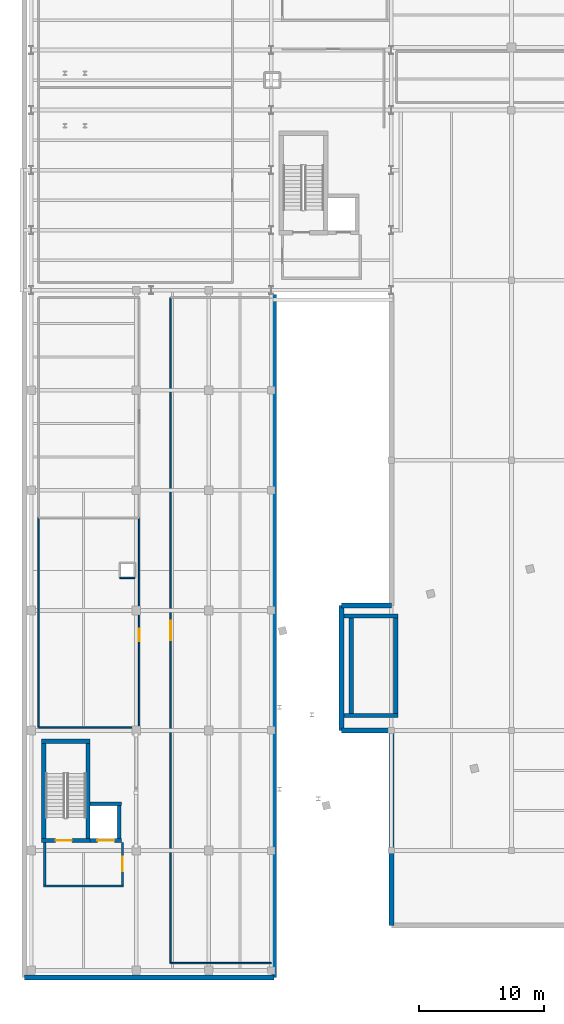
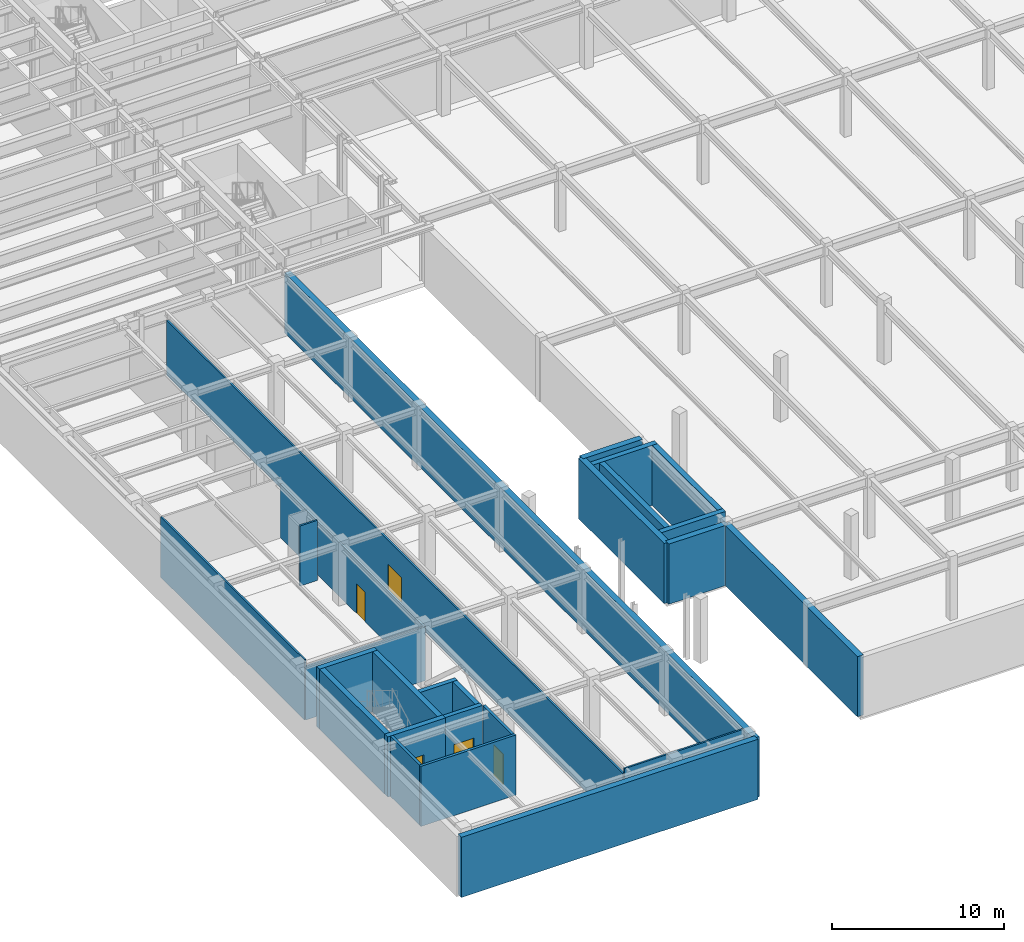
# One storey, part 18 of 32: 26 walls, 5 doors, 5 openings.
"""IFC4 building model written with IfcOpenShell, lengths in metres."""

from ifc_helpers import new_model, si_unit, direction, frame, frame_2d, origin, place, context, subcontext, project, spatial, rectangle, extrude, material, layer, layer_set, type_object, element, fill, save


model = new_model("IFC4")

# Units and contexts
model_context = context("Model", 3, precision=1e-05, world=origin(), true_north=direction((0.0, 1.0)))
body_context = subcontext(model_context, "Body", "Model", "MODEL_VIEW")
ifc_project = project(units=[si_unit("LENGTHUNIT", "METRE"), si_unit("AREAUNIT", "SQUARE_METRE"), si_unit("VOLUMEUNIT", "CUBIC_METRE"), si_unit("PLANEANGLEUNIT", "RADIAN"), si_unit("MASSUNIT", "GRAM", prefix="KILO")], contexts=[model_context])

# Site, building, storey
site_placement = place(None, origin())
site = spatial("IfcSite", under=ifc_project, at=site_placement, CompositionType="ELEMENT")
building_placement = place(site_placement, origin())
building = spatial("IfcBuilding", under=site, at=building_placement, Name="Nordkorset Police Headquarters", CompositionType="ELEMENT")
storey_placement = place(building_placement, frame((0.0, 0.0, -4.550048828125)))
storey = spatial("IfcBuildingStorey", under=building, at=storey_placement, Name="B01", CompositionType="ELEMENT", Elevation=-4.550048828125)

# Walls
ifc_material_1 = material(Name="Gypsum board", Category="gypsum")
ifc_layer_1 = layer(ifc_material_1, 0.179931640625, Name="Gypsum board")
ifc_layer_set_1 = layer_set([ifc_layer_1], Name="Gypsum board")
wall_type_1 = type_object("IfcWallType", Name="Wall_Comp_180", PredefinedType="PARTITIONING", material=ifc_layer_set_1)
wall_1_placement = place(storey_placement, frame((1.0, 35.56005859375, 0.0), z_axis=(0.0, 0.0, 1.0), x_axis=(1.0, 0.0, 0.0)))
element("IfcWall", 1, at=wall_1_placement, inside=storey, type_object=wall_type_1, Name="Firefighting Lobby EI 60 Wall K4 B01 S", PredefinedType="PARTITIONING", context=body_context, shape_type="SweptSolid", body=[
    extrude(rectangle(XDim=6.39990234375, YDim=0.179931640625, at=frame_2d((3.199951171875, 0.0))), origin(), (0.0, 0.0, 1.0), 4.280029296875),
])
wall_2_placement = place(storey_placement, frame((1.090087890625, 35.64990234375, 0.0), z_axis=(0.0, 0.0, 1.0), x_axis=(0.0, 1.0, 0.0)))
element("IfcWall", 2, at=wall_2_placement, inside=storey, type_object=wall_type_1, Name="Firefighting Lobby EI 60 Wall K4 B01 W", PredefinedType="PARTITIONING", context=body_context, shape_type="SweptSolid", body=[
    extrude(rectangle(XDim=3.375, YDim=0.179931640625, at=frame_2d((1.6875, 0.0))), origin(), (0.0, 0.0, 1.0), 4.280029296875),
])

# Wall, opening, door
wall_3_placement = place(storey_placement, frame((7.31005859375, 35.64990234375, 0.0), z_axis=(0.0, 0.0, 1.0), x_axis=(0.0, 1.0, 0.0)))
wall_3 = element("IfcWall", 3, at=wall_3_placement, inside=storey, type_object=wall_type_1, Name="Firefighting Lobby EI 60 Wall K4 B01 E", PredefinedType="PARTITIONING", context=body_context, shape_type="SweptSolid", body=[
    extrude(rectangle(XDim=3.375, YDim=0.179931640625, at=frame_2d((1.6875, 0.0))), origin(), (0.0, 0.0, 1.0), 4.280029296875),
])
opening_1_placement = place(wall_3_placement, frame((1.112548828125, 0.0, 0.0)))
opening_1 = element("IfcOpeningElement", 4, at=opening_1_placement, cuts=wall_3, Name="Opening DR-01", PredefinedType="OPENING", context=body_context, shape_type="SweptSolid", body=[
    extrude(rectangle(XDim=1.14990234375, YDim=2.14990234375, at=frame_2d((0.574951171875, 1.074951171875))), frame((0.0, 0.10009765625, 0.0), z_axis=(0.0, -1.0, 0.0), x_axis=(1.0, 0.0, 0.0)), (0.0, 0.0, 1.0), 0.199951171875),
])
ifc_material_2 = material(Name="Steel S355J2", Category="steel")
door_type_1 = type_object("IfcDoorType", Name="Door_LobbySingle_1150x2150", OperationType="NOTDEFINED", PredefinedType="DOOR", material=ifc_material_2)
door_1_placement = place(opening_1_placement, origin())
door_1 = element("IfcDoor", 5, at=door_1_placement, inside=storey, type_object=door_type_1, Name="Firefighting Lobby Smoke Door K4 B01 E", OperationType="SINGLE_SWING_LEFT", OverallHeight=2.14990234375, OverallWidth=1.14990234375, PredefinedType="DOOR", context=body_context, shape_type="SweptSolid", body=[
    extrude(rectangle(XDim=1.14990234375, YDim=2.14990234375, at=frame_2d((0.574951171875, 1.074951171875))), frame((0.0, 0.02490234375, 0.0), z_axis=(0.0, -1.0, 0.0), x_axis=(1.0, 0.0, 0.0)), (0.0, 0.0, 1.0), 0.050048828125),
])
fill(opening_1, door_1)

ifc_material_3 = material(Name="Concrete C35/45", Category="concrete")
ifc_layer_2 = layer(ifc_material_3, 0.35009765625, Name="Concrete C35/45")
ifc_layer_set_2 = layer_set([ifc_layer_2], Name="Concrete C35/45")
wall_type_2 = type_object("IfcWallType", Name="Wall_CoreShear_350", PredefinedType="SHEAR", material=ifc_layer_set_2)
wall_4_placement = place(storey_placement, frame((0.824951171875, 39.199951171875, 0.0), z_axis=(0.0, 0.0, 1.0), x_axis=(1.0, 0.0, 0.0)))
wall_4 = element("IfcWall", 6, at=wall_4_placement, inside=storey, type_object=wall_type_2, Name="Core K4 Stair Shaft South Shear Wall B01", PredefinedType="SHEAR", context=body_context, shape_type="SweptSolid", body=[
    extrude(rectangle(XDim=3.900146484375, YDim=0.35009765625, at=frame_2d((1.9501953125, 0.0))), origin(), (0.0, 0.0, 1.0), 4.280029296875),
])
opening_2_placement = place(wall_4_placement, frame((1.125, 0.0, 0.0)))
opening_2 = element("IfcOpeningElement", 7, at=opening_2_placement, cuts=wall_4, Name="Opening DR-20", PredefinedType="OPENING", context=body_context, shape_type="SweptSolid", body=[
    extrude(rectangle(XDim=1.300048828125, YDim=2.14990234375, at=frame_2d((0.64990234375, 1.074951171875))), frame((0.0, 0.18505859375, 0.0), z_axis=(0.0, -1.0, 0.0), x_axis=(1.0, 0.0, 0.0)), (0.0, 0.0, 1.0), 0.3701171875),
])
ifc_material_4 = material(Name="Steel S355J2", Category="steel")
door_type_2 = type_object("IfcDoorType", Name="Door_Stair_1300x2150", OperationType="NOTDEFINED", PredefinedType="DOOR", material=ifc_material_4)
door_2_placement = place(opening_2_placement, frame((1.300048828125, 0.0, 0.0), z_axis=(0.0, 0.0, 1.0), x_axis=(-1.0, 0.0, 0.0)))
door_2 = element("IfcDoor", 8, at=door_2_placement, inside=storey, type_object=door_type_2, Name="Protected Stair Fire Door ST-04 B01", OperationType="SINGLE_SWING_RIGHT", OverallHeight=2.14990234375, OverallWidth=1.300048828125, PredefinedType="DOOR", context=body_context, shape_type="SweptSolid", body=[
    extrude(rectangle(XDim=1.300048828125, YDim=2.14990234375, at=frame_2d((0.64990234375, 1.074951171875))), frame((0.0, 0.02490234375, 0.0), z_axis=(0.0, -1.0, 0.0), x_axis=(1.0, 0.0, 0.0)), (0.0, 0.0, 1.0), 0.050048828125),
])
fill(opening_2, door_2)

# Walls
wall_5_placement = place(storey_placement, frame((0.824951171875, 47.14990234375, 0.0), z_axis=(0.0, 0.0, 1.0), x_axis=(1.0, 0.0, 0.0)))
element("IfcWall", 9, at=wall_5_placement, inside=storey, type_object=wall_type_2, Name="Core K4 Stair Shaft North Shear Wall B01", PredefinedType="SHEAR", context=body_context, shape_type="SweptSolid", body=[
    extrude(rectangle(XDim=3.900146484375, YDim=0.35009765625, at=frame_2d((1.9501953125, 0.0))), origin(), (0.0, 0.0, 1.0), 4.280029296875),
])
for number, where, z_axis, x_axis, name in (
    (10, (1.0, 39.375, 0.0), (0.0, 0.0, 1.0), (0.0, 1.0, 0.0), "Core K4 Stair Shaft West Shear Wall B01"),
    (11, (4.550048828125, 39.375, 0.0), (0.0, 0.0, 1.0), (0.0, 1.0, 0.0), "Core K4 Stair Shaft East Shear Wall B01"),
):
    element("IfcWall", number, at=place(storey_placement, frame(where, z_axis=z_axis, x_axis=x_axis)), inside=storey, type_object=wall_type_2, Name=name, PredefinedType="SHEAR", context=body_context, shape_type="SweptSolid", body=[
        extrude(rectangle(XDim=7.60009765625, YDim=0.35009765625, at=frame_2d((3.800048828125, 0.0))), origin(), (0.0, 0.0, 1.0), 4.280029296875),
    ])
for number, where, z_axis, x_axis, name in (
    (12, (25.0, 49.199951171875, 0.0), (0.0, 0.0, 1.0), (1.0, 0.0, 0.0), "Core K7 Stair Shaft South Shear Wall B01"),
    (13, (25.0, 57.14990234375, 0.0), (0.0, 0.0, 1.0), (1.0, 0.0, 0.0), "Core K7 Stair Shaft North Shear Wall B01"),
):
    element("IfcWall", number, at=place(storey_placement, frame(where, z_axis=z_axis, x_axis=x_axis)), inside=storey, type_object=wall_type_2, Name=name, PredefinedType="SHEAR", context=body_context, shape_type="SweptSolid", body=[
        extrude(rectangle(XDim=4.324951171875, YDim=0.35009765625, at=frame_2d((2.16259765625, 0.0))), origin(), (0.0, 0.0, 1.0), 4.280029296875),
    ])
for number, where, z_axis, x_axis, name in (
    (14, (25.60009765625, 49.375, 0.0), (0.0, 0.0, 1.0), (0.0, 1.0, 0.0), "Core K7 Stair Shaft West Shear Wall B01"),
    (15, (29.14990234375, 49.375, 0.0), (0.0, 0.0, 1.0), (0.0, 1.0, 0.0), "Core K7 Stair Shaft East Shear Wall B01"),
):
    element("IfcWall", number, at=place(storey_placement, frame(where, z_axis=z_axis, x_axis=x_axis)), inside=storey, type_object=wall_type_2, Name=name, PredefinedType="SHEAR", context=body_context, shape_type="SweptSolid", body=[
        extrude(rectangle(XDim=7.60009765625, YDim=0.35009765625, at=frame_2d((3.800048828125, 0.0))), origin(), (0.0, 0.0, 1.0), 4.280029296875),
    ])
ifc_material_5 = material(Name="Gypsum board", Category="gypsum")
ifc_layer_3 = layer(ifc_material_5, 0.1201171875, Name="Gypsum board")
ifc_layer_set_3 = layer_set([ifc_layer_3], Name="Gypsum board")
wall_type_3 = type_object("IfcWallType", Name="Wall_Part_120", PredefinedType="PARTITIONING", material=ifc_layer_set_3)
wall_6_placement = place(storey_placement, frame((0.60009765625, 48.25, 0.0), z_axis=(0.0, 0.0, 1.0), x_axis=(1.0, 0.0, 0.0)))
element("IfcWall", 16, at=wall_6_placement, inside=storey, type_object=wall_type_3, Name="Interior Partition Wall Forensic Bulk Evidence Reception Lab", PredefinedType="PARTITIONING", context=body_context, shape_type="SweptSolid", body=[
    extrude(rectangle(XDim=8.039794921875, YDim=0.1201171875, at=frame_2d((4.02001953125, 0.0))), origin(), (0.0, 0.0, 1.0), 3.820068359375),
])

# Wall, opening, door
wall_7_placement = place(storey_placement, frame((8.639892578125, 48.25, 0.0), z_axis=(0.0, 0.0, 1.0), x_axis=(0.0, 1.0, 0.0)))
wall_7 = element("IfcWall", 17, at=wall_7_placement, inside=storey, type_object=wall_type_3, Name="Interior Partition Wall Forensic Bulk Evidence Reception Lab", PredefinedType="PARTITIONING", context=body_context, shape_type="SweptSolid", body=[
    extrude(rectangle(XDim=16.75, YDim=0.1201171875, at=frame_2d((8.375, 0.0))), origin(), (0.0, 0.0, 1.0), 3.820068359375),
])
opening_3_placement = place(wall_7_placement, frame((6.885009765625, 0.0, 0.0)))
opening_3 = element("IfcOpeningElement", 18, at=opening_3_placement, cuts=wall_7, Name="Opening DR-18", PredefinedType="OPENING", context=body_context, shape_type="SweptSolid", body=[
    extrude(rectangle(XDim=0.97998046875, YDim=2.10009765625, at=frame_2d((0.489990234375, 1.050048828125))), frame((0.0, 0.070068359375, 0.0), z_axis=(0.0, -1.0, 0.0), x_axis=(1.0, 0.0, 0.0)), (0.0, 0.0, 1.0), 0.14013671875),
])
ifc_material_6 = material(Name="Glulam GL30c", Category="wood")
door_type_3 = type_object("IfcDoorType", Name="Door_Office_980x2100", OperationType="NOTDEFINED", PredefinedType="DOOR", material=ifc_material_6)
door_3_placement = place(opening_3_placement, frame((0.97998046875, 0.0, 0.0), z_axis=(0.0, 0.0, 1.0), x_axis=(-1.0, 0.0, 0.0)))
door_3 = element("IfcDoor", 19, at=door_3_placement, inside=storey, type_object=door_type_3, Name="Interior Door Forensic Bulk Evidence Reception Lab", OperationType="SINGLE_SWING_RIGHT", OverallHeight=2.10009765625, OverallWidth=0.97998046875, PredefinedType="DOOR", context=body_context, shape_type="SweptSolid", body=[
    extrude(rectangle(XDim=0.97998046875, YDim=2.10009765625, at=frame_2d((0.489990234375, 1.050048828125))), frame((0.0, 0.02490234375, 0.0), z_axis=(0.0, -1.0, 0.0), x_axis=(1.0, 0.0, 0.0)), (0.0, 0.0, 1.0), 0.050048828125),
])
fill(opening_3, door_3)

# Walls
wall_8_placement = place(storey_placement, frame((0.60009765625, 65.0, 0.0), z_axis=(0.0, 0.0, 1.0), x_axis=(0.0, -1.0, 0.0)))
element("IfcWall", 20, at=wall_8_placement, inside=storey, type_object=wall_type_3, Name="Interior Partition Wall Forensic Bulk Evidence Reception Lab", PredefinedType="PARTITIONING", context=body_context, shape_type="SweptSolid", body=[
    extrude(rectangle(XDim=16.75, YDim=0.1201171875, at=frame_2d((8.375, 0.0))), origin(), (0.0, 0.0, 1.0), 4.280029296875),
])
wall_9_placement = place(storey_placement, frame((11.159912109375, 29.39990234375, 0.0), z_axis=(0.0, 0.0, 1.0), x_axis=(1.0, 0.0, 0.0)))
element("IfcWall", 21, at=wall_9_placement, inside=storey, type_object=wall_type_3, Name="Interior Partition Wall Quartermaster Uniform and Kit Issue Room", PredefinedType="PARTITIONING", context=body_context, shape_type="SweptSolid", body=[
    extrude(rectangle(XDim=8.045166015625, YDim=0.1201171875, at=frame_2d((4.0224609375, 0.0))), origin(), (0.0, 0.0, 1.0), 4.280029296875),
])

# Wall, opening, door
wall_10_placement = place(storey_placement, frame((11.159912109375, 82.60009765625, 0.0), z_axis=(0.0, 0.0, 1.0), x_axis=(0.0, -1.0, 0.0)))
wall_10 = element("IfcWall", 22, at=wall_10_placement, inside=storey, type_object=wall_type_3, Name="Interior Partition Wall Quartermaster Uniform and Kit Issue Room", PredefinedType="PARTITIONING", context=body_context, shape_type="SweptSolid", body=[
    extrude(rectangle(XDim=53.2001953125, YDim=0.1201171875, at=frame_2d((26.60009765625, 0.0))), origin(), (0.0, 0.0, 1.0), 3.900146484375),
])
opening_4_placement = place(wall_10_placement, frame((25.830078125, 0.0, 0.0)))
opening_4 = element("IfcOpeningElement", 23, at=opening_4_placement, cuts=wall_10, Name="Opening DR-03", PredefinedType="OPENING", context=body_context, shape_type="SweptSolid", body=[
    extrude(rectangle(XDim=1.5400390625, YDim=2.199951171875, at=frame_2d((0.77001953125, 1.10009765625))), frame((0.0, 0.070068359375, 0.0), z_axis=(0.0, -1.0, 0.0), x_axis=(1.0, 0.0, 0.0)), (0.0, 0.0, 1.0), 0.14013671875),
])
ifc_material_7 = material(Name="Steel S355J2", Category="steel")
door_type_4 = type_object("IfcDoorType", Name="Door_Workshop_1540x2200", OperationType="DOUBLE_DOOR_SINGLE_SWING", PredefinedType="DOOR", material=ifc_material_7)
door_4_placement = place(opening_4_placement, frame((1.5400390625, 0.0, 0.0), z_axis=(0.0, 0.0, 1.0), x_axis=(-1.0, 0.0, 0.0)))
door_4 = element("IfcDoor", 24, at=door_4_placement, inside=storey, type_object=door_type_4, Name="Interior Door Quartermaster Uniform and Kit Issue Room", OperationType="DOUBLE_DOOR_SINGLE_SWING", OverallHeight=2.199951171875, OverallWidth=1.5400390625, PredefinedType="DOOR", context=body_context, shape_type="SweptSolid", body=[
    extrude(rectangle(XDim=1.5400390625, YDim=2.199951171875, at=frame_2d((0.77001953125, 1.10009765625))), frame((0.0, 0.02490234375, 0.0), z_axis=(0.0, -1.0, 0.0), x_axis=(1.0, 0.0, 0.0)), (0.0, 0.0, 1.0), 0.050048828125),
])
fill(opening_4, door_4)

# Walls
ifc_material_8 = material(Name="Concrete C40/50", Category="concrete")
ifc_layer_4 = layer(ifc_material_8, 0.39990234375, Name="Concrete C40/50")
ifc_layer_set_4 = layer_set([ifc_layer_4], Name="Concrete C40/50")
wall_type_4 = type_object("IfcWallType", Name="Wall_Retaining_400", PredefinedType="USERDEFINED", material=ifc_layer_set_4)
wall_11_placement = place(storey_placement, frame((-0.550048828125, 28.25, 0.0), z_axis=(0.0, 0.0, 1.0), x_axis=(1.0, 0.0, 0.0)))
element("IfcWall", 25, at=wall_11_placement, inside=storey, type_object=wall_type_4, Name="Basement Perimeter Retaining Wall B01 W-S1", ObjectType="RETAINING WALL", PredefinedType="USERDEFINED", context=body_context, shape_type="SweptSolid", body=[
    extrude(rectangle(XDim=19.949951171875, YDim=0.39990234375, at=frame_2d((9.97509765625, 0.0))), origin(), (0.0, 0.0, 1.0), 4.280029296875),
])
wall_12_placement = place(storey_placement, frame((19.39990234375, 28.25, 0.0), z_axis=(0.0, 0.0, 1.0), x_axis=(0.0, 1.0, 0.0)))
element("IfcWall", 26, at=wall_12_placement, inside=storey, type_object=wall_type_4, Name="Basement Perimeter Retaining Wall B01 W-S2A", ObjectType="RETAINING WALL", PredefinedType="USERDEFINED", context=body_context, shape_type="SweptSolid", body=[
    extrude(rectangle(XDim=54.625, YDim=0.39990234375, at=frame_2d((27.3125, 0.0))), origin(), (0.0, 0.0, 1.0), 4.280029296875),
])
wall_13_placement = place(storey_placement, frame((28.800048828125, 32.39990234375, 0.0), z_axis=(0.0, 0.0, 1.0), x_axis=(0.0, 1.0, 0.0)))
element("IfcWall", 27, at=wall_13_placement, inside=storey, type_object=wall_type_4, Name="Basement Perimeter Retaining Wall B01 W-S2B", ObjectType="RETAINING WALL", PredefinedType="USERDEFINED", context=body_context, shape_type="SweptSolid", body=[
    extrude(rectangle(XDim=15.60009765625, YDim=0.39990234375, at=frame_2d((7.800048828125, 0.0))), origin(), (0.0, 0.0, 1.0), 4.280029296875),
])
wall_14_placement = place(storey_placement, frame((24.800048828125, 48.0, 0.0), z_axis=(0.0, 0.0, 1.0), x_axis=(1.0, 0.0, 0.0)))
element("IfcWall", 28, at=wall_14_placement, inside=storey, type_object=wall_type_4, Name="Basement Perimeter Retaining Wall B01 W-S2C", ObjectType="RETAINING WALL", PredefinedType="USERDEFINED", context=body_context, shape_type="SweptSolid", body=[
    extrude(rectangle(XDim=4.0, YDim=0.39990234375, at=frame_2d((2.0, 0.0))), origin(), (0.0, 0.0, 1.0), 4.280029296875),
])
wall_15_placement = place(storey_placement, frame((24.800048828125, 48.0, 0.0), z_axis=(0.0, 0.0, 1.0), x_axis=(0.0, 1.0, 0.0)))
element("IfcWall", 29, at=wall_15_placement, inside=storey, type_object=wall_type_4, Name="Basement Perimeter Retaining Wall B01 W-S2D", ObjectType="RETAINING WALL", PredefinedType="USERDEFINED", context=body_context, shape_type="SweptSolid", body=[
    extrude(rectangle(XDim=10.0, YDim=0.39990234375, at=frame_2d((5.0, 0.0))), origin(), (0.0, 0.0, 1.0), 4.280029296875),
])
wall_16_placement = place(storey_placement, frame((24.800048828125, 58.0, 0.0), z_axis=(0.0, 0.0, 1.0), x_axis=(1.0, 0.0, 0.0)))
element("IfcWall", 30, at=wall_16_placement, inside=storey, type_object=wall_type_4, Name="Basement Perimeter Retaining Wall B01 W-S2E", ObjectType="RETAINING WALL", PredefinedType="USERDEFINED", context=body_context, shape_type="SweptSolid", body=[
    extrude(rectangle(XDim=4.0, YDim=0.39990234375, at=frame_2d((2.0, 0.0))), origin(), (0.0, 0.0, 1.0), 4.280029296875),
])
ifc_material_9 = material(Name="Gypsum board", Category="gypsum")
ifc_layer_5 = layer(ifc_material_9, 0.125, Name="Gypsum board")
ifc_layer_set_5 = layer_set([ifc_layer_5], Name="Gypsum board")
wall_type_5 = type_object("IfcWallType", Name="Wall_Riser_125", PredefinedType="PARTITIONING", material=ifc_layer_set_5)
wall_17_placement = place(storey_placement, frame((7.10009765625, 60.199951171875, 0.0), z_axis=(0.0, 0.0, 1.0), x_axis=(1.0, 0.0, 0.0)))
element("IfcWall", 31, at=wall_17_placement, inside=storey, type_object=wall_type_5, Name="Service Riser Enclosure RSR-V3 B01", PredefinedType="PARTITIONING", context=body_context, shape_type="SweptSolid", body=[
    extrude(rectangle(XDim=1.199951171875, YDim=0.125, at=frame_2d((0.60009765625, 0.0))), origin(), (0.0, 0.0, 1.0), 4.280029296875),
])

# Wall, opening, door
ifc_material_10 = material(Name="Concrete C35/45", Category="concrete")
ifc_layer_6 = layer(ifc_material_10, 0.300048828125, Name="Concrete C35/45")
ifc_layer_set_6 = layer_set([ifc_layer_6], Name="Concrete C35/45")
wall_type_6 = type_object("IfcWallType", Name="Wall_ShaftShear_300", PredefinedType="SHEAR", material=ifc_layer_set_6)
wall_18_placement = place(storey_placement, frame((4.72509765625, 39.199951171875, 0.0), z_axis=(0.0, 0.0, 1.0), x_axis=(1.0, 0.0, 0.0)))
wall_18 = element("IfcWall", 32, at=wall_18_placement, inside=storey, type_object=wall_type_6, Name="Lift Shaft LF-06 Front Shear Wall B01", PredefinedType="SHEAR", context=body_context, shape_type="SweptSolid", body=[
    extrude(rectangle(XDim=2.5, YDim=0.300048828125, at=frame_2d((1.25, 0.0))), origin(), (0.0, 0.0, 1.0), 4.280029296875),
])
opening_5_placement = place(wall_18_placement, frame((0.574951171875, 0.0, 0.0)))
opening_5 = element("IfcOpeningElement", 33, at=opening_5_placement, cuts=wall_18, Name="Opening LD-06", PredefinedType="OPENING", context=body_context, shape_type="SweptSolid", body=[
    extrude(rectangle(XDim=1.35009765625, YDim=2.14990234375, at=frame_2d((0.675048828125, 1.074951171875))), frame((0.0, 0.16015625, 0.0), z_axis=(0.0, -1.0, 0.0), x_axis=(1.0, 0.0, 0.0)), (0.0, 0.0, 1.0), 0.320068359375),
])
ifc_material_11 = material(Name="Steel S355J2", Category="steel")
door_type_5 = type_object("IfcDoorType", Name="Door_LiftGoods_1350x2150", OperationType="SLIDING_TO_RIGHT", PredefinedType="DOOR", material=ifc_material_11)
door_5_placement = place(opening_5_placement, frame((1.35009765625, 0.0, 0.0), z_axis=(0.0, 0.0, 1.0), x_axis=(-1.0, 0.0, 0.0)))
door_5 = element("IfcDoor", 34, at=door_5_placement, inside=storey, type_object=door_type_5, Name="Lift Landing Sliding Door LF-06 B01", OperationType="SLIDING_TO_RIGHT", OverallHeight=2.14990234375, OverallWidth=1.35009765625, PredefinedType="DOOR", context=body_context, shape_type="SweptSolid", body=[
    extrude(rectangle(XDim=1.35009765625, YDim=2.14990234375, at=frame_2d((0.675048828125, 1.074951171875))), frame((0.0, 0.02490234375, 0.0), z_axis=(0.0, -1.0, 0.0), x_axis=(1.0, 0.0, 0.0)), (0.0, 0.0, 1.0), 0.050048828125),
])
fill(opening_5, door_5)

# Walls
wall_19_placement = place(storey_placement, frame((4.72509765625, 42.14990234375, 0.0), z_axis=(0.0, 0.0, 1.0), x_axis=(1.0, 0.0, 0.0)))
element("IfcWall", 35, at=wall_19_placement, inside=storey, type_object=wall_type_6, Name="Lift Shaft LF-06 Rear Shear Wall B01", PredefinedType="SHEAR", context=body_context, shape_type="SweptSolid", body=[
    extrude(rectangle(XDim=2.5, YDim=0.300048828125, at=frame_2d((1.25, 0.0))), origin(), (0.0, 0.0, 1.0), 4.280029296875),
])
wall_20_placement = place(storey_placement, frame((7.050048828125, 39.35009765625, 0.0), z_axis=(0.0, 0.0, 1.0), x_axis=(0.0, 1.0, 0.0)))
element("IfcWall", 36, at=wall_20_placement, inside=storey, type_object=wall_type_6, Name="Lift Shaft LF-06 East Shear Wall B01", PredefinedType="SHEAR", context=body_context, shape_type="SweptSolid", body=[
    extrude(rectangle(XDim=2.64990234375, YDim=0.300048828125, at=frame_2d((1.324951171875, 0.0))), origin(), (0.0, 0.0, 1.0), 4.280029296875),
])

save(model, "model.ifc")
